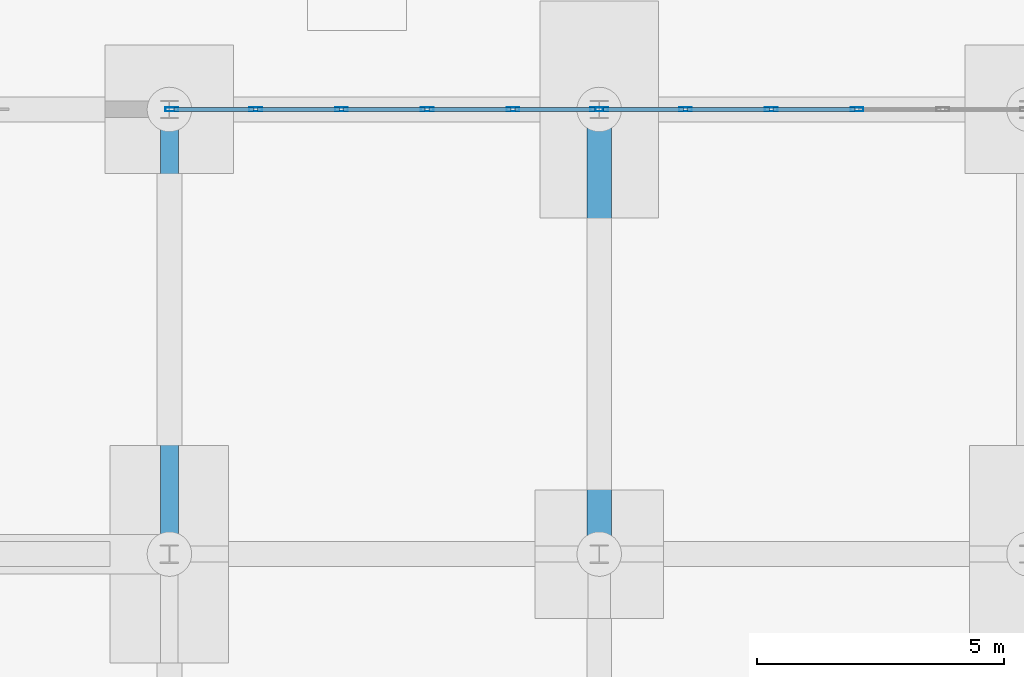
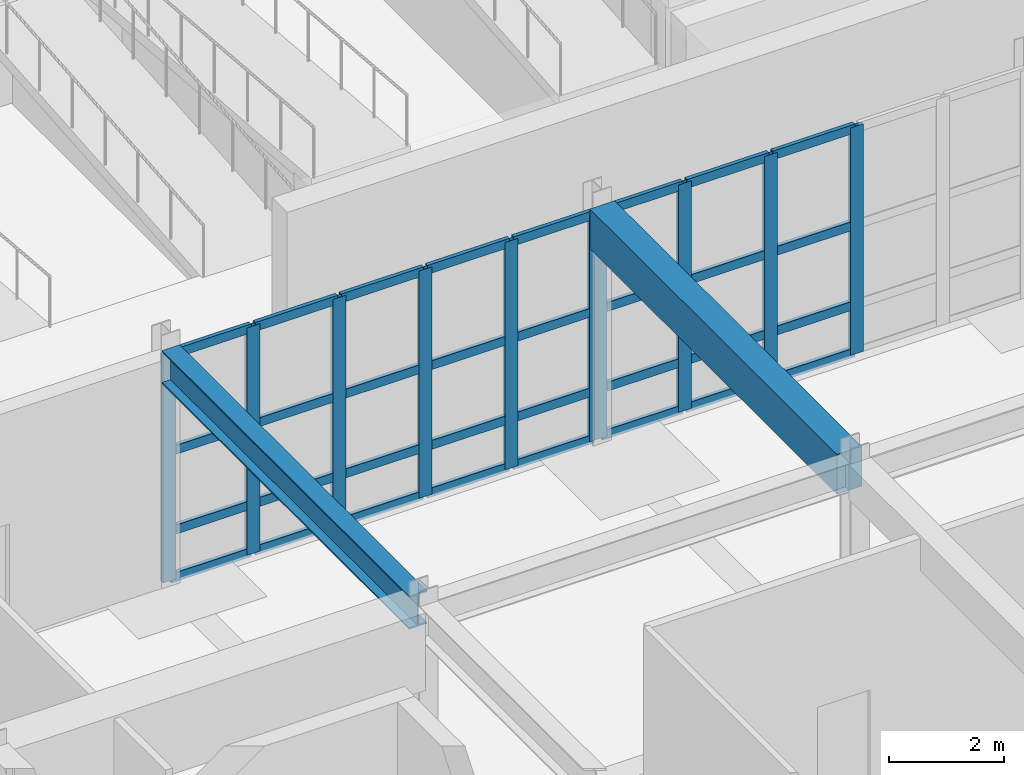
# One storey, part 17 of 69: 42 members, 2 beams, 2 elements without a shape of their own.
"""IFC4 building model written with IfcOpenShell, lengths in metres."""

import ifcopenshell
import ifcopenshell.guid

model = None  # the IFC model being written
_history = None  # IfcOwnerHistory: only IFC2X3 demands one
_inside = {}  # id of a spatial element -> (the spatial element, [elements in it])
_under = {}  # id of a project, library or spatial element -> (it, [spatial elements below it])
_declared = {}  # id of a project -> (the project, [libraries it declares])
_typed = {}  # id of a type object -> (the type object, [elements of that type])
_made_of = {}  # id of a material, layer set ... -> (it, [elements and type objects made of it])


def new_model(schema):
    """Start an empty IFC model of exactly this schema.

    Asked for "IFC4X3", IfcOpenShell would pick the latest addendum, in which some entities
    have other attributes; the version numbers below select the first issue.
    IFC2X3 requires an IfcOwnerHistory on every rooted entity: one is made here for all.
    """
    global model, _history
    if schema == "IFC4X3":
        model = ifcopenshell.file(schema_version=(4, 3, 0, 0))
    else:
        model = ifcopenshell.file(schema=schema)
    _inside.clear()
    _under.clear()
    _declared.clear()
    _typed.clear()
    _made_of.clear()
    _history = None
    if model.schema == "IFC2X3":
        org = make("IfcOrganization", Name="unknown")
        user = make(
            "IfcPersonAndOrganization",
            ThePerson=make("IfcPerson", FamilyName="unknown"),
            TheOrganization=org,
        )
        app = make(
            "IfcApplication",
            ApplicationDeveloper=org,
            Version="unknown",
            ApplicationFullName="unknown",
            ApplicationIdentifier="unknown",
        )
        _history = make(
            "IfcOwnerHistory",
            OwningUser=user,
            OwningApplication=app,
            ChangeAction="ADDED",
            CreationDate=0,
        )
    return model


def make(cls, **values):
    """One entity of the class cls with the attributes given. An attribute that is None is left unset."""
    return model.create_entity(
        cls, **{name: value for name, value in values.items() if value is not None}
    )


def rooted(cls, **values):
    """An entity with a GlobalId (a new one), such as an element, a storey or a relation."""
    return make(cls, GlobalId=ifcopenshell.guid.new(), OwnerHistory=_history, **values)


def si_unit(unit_type, name, prefix=None):
    """IfcSIUnit, for example si_unit("LENGTHUNIT", "METRE", prefix="MILLI")."""
    return make("IfcSIUnit", UnitType=unit_type, Prefix=prefix, Name=name)


def assignment(units):
    """IfcUnitAssignment: the units of a project."""
    return None if units is None else make("IfcUnitAssignment", Units=units)


def point(xyz):
    """IfcCartesianPoint."""
    return None if xyz is None else make("IfcCartesianPoint", Coordinates=xyz)


def direction(xyz):
    """IfcDirection."""
    return None if xyz is None else make("IfcDirection", DirectionRatios=xyz)


def frame(location, z_axis=None, x_axis=None):
    """IfcAxis2Placement3D, a coordinate frame: its origin and axes. An axis left out is left unset."""
    return make(
        "IfcAxis2Placement3D",
        Location=point(location),
        Axis=direction(z_axis),
        RefDirection=direction(x_axis),
    )


def frame_2d(location, x_axis=None):
    """IfcAxis2Placement2D, a coordinate frame in the plane: its origin and x axis."""
    return make(
        "IfcAxis2Placement2D", Location=point(location), RefDirection=direction(x_axis)
    )


def origin():
    """The frame at (0, 0, 0) with its axes left unset."""
    return frame((0.0, 0.0, 0.0))


def origin_2d():
    """The frame at (0, 0) in the plane with its x axis left unset."""
    return frame_2d((0.0, 0.0))


def place(relative_to, where):
    """IfcLocalPlacement: puts the frame where relative to a parent placement (None: the world)."""
    return make(
        "IfcLocalPlacement", PlacementRelTo=relative_to, RelativePlacement=where
    )


def context(
    kind, dimensions, precision=None, world=None, true_north=None, identifier=None
):
    """IfcGeometricRepresentationContext, for example the 3D "Model" context."""
    return make(
        "IfcGeometricRepresentationContext",
        ContextIdentifier=identifier,
        ContextType=kind,
        CoordinateSpaceDimension=dimensions,
        Precision=precision,
        WorldCoordinateSystem=world,
        TrueNorth=true_north,
    )


def subcontext(parent, identifier, kind, view, scale=None):
    """IfcGeometricRepresentationSubContext, for example "Body" below "Model"."""
    return make(
        "IfcGeometricRepresentationSubContext",
        ContextIdentifier=identifier,
        ContextType=kind,
        ParentContext=parent,
        TargetScale=scale,
        TargetView=view,
    )


def project(units=None, contexts=None):
    """IfcProject with its units and contexts."""
    return rooted(
        "IfcProject",
        Name="project",
        RepresentationContexts=contexts,
        UnitsInContext=assignment(units),
    )


def spatial(cls, under=None, at=None, **own):
    """A site, building, storey or space (cls), placed at a placement, below another one or the project."""
    s = rooted(cls, ObjectPlacement=at, **own)
    if under is not None:
        _under.setdefault(under.id(), (under, []))[1].append(s)
    return s


def profile(cls, at=None, kind="AREA", **sizes):
    """A parametric profile (cls). Its sizes go by their IFC names, for example OverallWidth=200.0."""
    return make(cls, ProfileType=kind, Position=at, **sizes)


def rectangle(**sizes):
    """IfcRectangleProfileDef."""
    return profile("IfcRectangleProfileDef", **sizes)


def hollow_rectangle(**sizes):
    """IfcRectangleHollowProfileDef."""
    return profile("IfcRectangleHollowProfileDef", **sizes)


def i_section(**sizes):
    """IfcIShapeProfileDef."""
    return profile("IfcIShapeProfileDef", **sizes)


def extrude(swept, where, along, depth):
    """IfcExtrudedAreaSolid: the profile swept, set in the frame where, extruded along a direction by depth."""
    return make(
        "IfcExtrudedAreaSolid",
        SweptArea=swept,
        Position=where,
        ExtrudedDirection=direction(along),
        Depth=depth,
    )


def shape(context_of_items, identifier, shape_type, items):
    """IfcShapeRepresentation: the items that make up one representation, for example the "Body"."""
    return make(
        "IfcShapeRepresentation",
        ContextOfItems=context_of_items,
        RepresentationIdentifier=identifier,
        RepresentationType=shape_type,
        Items=items,
    )


def material(Name=None, Category=None):
    """IfcMaterial."""
    return make("IfcMaterial", Name=Name, Category=Category)


def layer(
    of_material, thickness, ventilated=None, Name=None, Category=None, Priority=None
):
    """IfcMaterialLayer: one layer of a wall or slab, of a material (None: an air gap)."""
    return make(
        "IfcMaterialLayer",
        Material=of_material,
        LayerThickness=thickness,
        IsVentilated=ventilated,
        Name=Name,
        Category=Category,
        Priority=Priority,
    )


def layer_set(layers, Name=None):
    """IfcMaterialLayerSet."""
    return make("IfcMaterialLayerSet", MaterialLayers=layers, LayerSetName=Name)


def material_profile(
    of_material, cross_section, Name=None, Category=None, Priority=None
):
    """IfcMaterialProfile: a cross section and its material."""
    return make(
        "IfcMaterialProfile",
        Name=Name,
        Material=of_material,
        Profile=cross_section,
        Priority=Priority,
        Category=Category,
    )


def profile_set(profiles, Name=None, composite=None):
    """IfcMaterialProfileSet."""
    return make(
        "IfcMaterialProfileSet",
        Name=Name,
        MaterialProfiles=profiles,
        CompositeProfile=composite,
    )


def made_of(thing, what):
    """Note that an element or type object is made of a material, layer set ...; save() writes the relation."""
    if what is not None:
        _made_of.setdefault(what.id(), (what, []))[1].append(thing)
    return thing


def type_object(cls, material=None, **own):
    """A type object (cls), such as IfcWallType, which elements share."""
    return made_of(rooted(cls, **own), material)


def element(
    cls,
    number,
    at=None,
    inside=None,
    cuts=None,
    type_object=None,
    material=None,
    context=None,
    identifier="Body",
    shape_type=None,
    held_by="IfcProductDefinitionShape",
    body=None,
    shapes=None,
    **own,
):
    """One element of the class cls, such as IfcWall. Its Tag is "e" and its number.

    at: its placement. inside: the storey or other place that contains it. cuts: it is an
    opening in that element (IfcRelVoidsElement). A single representation is given by context,
    identifier, shape_type and body (its items); several are given by shapes. held_by: the class
    of the entity that holds the representations. save() writes the other relations.
    """
    e = rooted(cls, Tag="e%d" % number, ObjectPlacement=at, **own)
    if body is not None:
        shapes = [shape(context, identifier, shape_type, body)]
    if shapes is not None:
        e.Representation = make(held_by, Representations=shapes)
    if inside is not None:
        _inside.setdefault(inside.id(), (inside, []))[1].append(e)
    if cuts is not None:
        rooted(
            "IfcRelVoidsElement", RelatingBuildingElement=cuts, RelatedOpeningElement=e
        )
    if type_object is not None:
        _typed.setdefault(type_object.id(), (type_object, []))[1].append(e)
    return made_of(e, material)


def aggregate(whole, parts):
    """IfcRelAggregates: a whole, such as a stair, and the parts it consists of."""
    return rooted("IfcRelAggregates", RelatingObject=whole, RelatedObjects=parts)


def save(model, path):
    """Write the relations noted so far, then the file.

    IfcRelAggregates (storeys below a building ...), IfcRelContainedInSpatialStructure (elements
    in a storey), IfcRelDefinesByType, IfcRelAssociatesMaterial and IfcRelDeclares: one each for
    every whole, place, type object, material and project.
    """
    for whole, parts in _under.values():
        aggregate(whole, parts)
    for where, things in _inside.values():
        rooted(
            "IfcRelContainedInSpatialStructure",
            RelatedElements=things,
            RelatingStructure=where,
        )
    for kind, things in _typed.values():
        rooted("IfcRelDefinesByType", RelatedObjects=things, RelatingType=kind)
    for what, things in _made_of.values():
        rooted("IfcRelAssociatesMaterial", RelatedObjects=things, RelatingMaterial=what)
    for by, libraries in _declared.values():
        rooted("IfcRelDeclares", RelatingContext=by, RelatedDefinitions=libraries)
    model.write(path)


model = new_model("IFC4")

# Units and contexts
model_context = context("Model", 3, precision=1e-05, world=origin(), true_north=direction((0.0, 1.0)))
body_context = subcontext(model_context, "Body", "Model", "MODEL_VIEW")
ifc_project = project(units=[si_unit("LENGTHUNIT", "METRE"), si_unit("AREAUNIT", "SQUARE_METRE"), si_unit("VOLUMEUNIT", "CUBIC_METRE"), si_unit("PLANEANGLEUNIT", "RADIAN"), si_unit("MASSUNIT", "GRAM", prefix="KILO")], contexts=[model_context])

# Site, building, storey
site_placement = place(None, origin())
site = spatial("IfcSite", under=ifc_project, at=site_placement, CompositionType="ELEMENT")
building_placement = place(site_placement, origin())
building = spatial("IfcBuilding", under=site, at=building_placement, Name="Vaelkrest Opera House", CompositionType="ELEMENT")
storey_placement = place(building_placement, frame((0.0, 0.0, -5.39990234375)))
storey = spatial("IfcBuildingStorey", under=building, at=storey_placement, Name="B1", CompositionType="ELEMENT", Elevation=-5.39990234375)

# Beams
ifc_material_1 = material(Name="Concrete C50/60", Category="concrete")
ifc_material_profile_1 = material_profile(ifc_material_1, rectangle(XDim=0.5, YDim=0.85009765625, at=origin_2d()), Name="RCB500X850")
ifc_profile_set_1 = profile_set([ifc_material_profile_1], Name="Concrete C50/60")
beam_type_1 = type_object("IfcBeamType", Name="B03", PredefinedType="BEAM", material=ifc_profile_set_1)
beam_1_placement = place(storey_placement, frame((-60.300048828125, -46.614013671875, 4.65478515625), z_axis=(0.0, 1.0, 0.0), x_axis=(-1.0, 0.0, 0.0)))
element("IfcBeam", 1, at=beam_1_placement, inside=storey, type_object=beam_type_1, Name="Beam BM-V5-B1-2464", PredefinedType="BEAM", context=body_context, shape_type="SweptSolid", body=[
    extrude(rectangle(XDim=0.5, YDim=0.85009765625, at=origin_2d()), origin(), (0.0, 0.0, 1.0), 8.634033203125),
])
ifc_material_2 = material(Name="Steel A992 Gr50", Category="steel")
ifc_material_profile_2 = material_profile(ifc_material_2, i_section(OverallWidth=0.35791015625, OverallDepth=0.7060546875, WebThickness=0.018310546875, FlangeThickness=0.0302734375, at=origin_2d()), Name="W27X178")
ifc_profile_set_2 = profile_set([ifc_material_profile_2], Name="Steel A992 Gr50")
beam_type_2 = type_object("IfcBeamType", Name="B14", PredefinedType="BEAM", material=ifc_profile_set_2)
beam_2_placement = place(storey_placement, frame((-69.0, -46.614013671875, 4.726806640625), z_axis=(0.0, 1.0, 0.0), x_axis=(-1.0, 0.0, 0.0)))
element("IfcBeam", 2, at=beam_2_placement, inside=storey, type_object=beam_type_2, Name="Beam BM-V5-B1-2462", PredefinedType="BEAM", context=body_context, shape_type="SweptSolid", body=[
    extrude(i_section(OverallWidth=0.35791015625, OverallDepth=0.7060546875, WebThickness=0.018310546875, FlangeThickness=0.0302734375, at=origin_2d()), origin(), (0.0, 0.0, 1.0), 8.634033203125),
])

# Curtain wall, members
ifc_material_3 = material(Name="Dark bronze anodized aluminium", Category="aluminium")
ifc_layer = layer(ifc_material_3, 0.2099609375)
ifc_layer_set = layer_set([ifc_layer], Name="Dark bronze anodized aluminium")
curtain_wall_type = type_object("IfcCurtainWallType", Name="CW04", PredefinedType="NOTDEFINED", material=ifc_layer_set)
curtain_wall_1_placement = place(storey_placement, origin())
curtain_wall_1 = element("IfcCurtainWall", 3, at=curtain_wall_1_placement, inside=storey, type_object=curtain_wall_type, Name="Curtain wall CW-B1-174", PredefinedType="NOTDEFINED")
ifc_material_profile_3 = material_profile(ifc_material_3, hollow_rectangle(XDim=0.080078125, YDim=0.260009765625, WallThickness=0.0048828125, at=origin_2d()), Name="CWM80X260")
ifc_profile_set_3 = profile_set([ifc_material_profile_3], Name="Dark bronze anodized aluminium")
member_type_1 = type_object("IfcMemberType", Name="CWM04", PredefinedType="MULLION", material=ifc_profile_set_3)
member_1_placement = place(storey_placement, frame((-68.949951171875, -37.800048828125, 0.0), z_axis=(0.0, 0.0, 1.0), x_axis=(0.0, 1.0, 0.0)))
member_1 = element("IfcMember", 4, at=member_1_placement, type_object=member_type_1, Name="CW04 mullion 1", PredefinedType="MULLION", context=body_context, shape_type="SweptSolid", body=[
    extrude(hollow_rectangle(XDim=0.080078125, YDim=0.260009765625, WallThickness=0.0048828125, at=origin_2d()), origin(), (0.0, 0.0, 1.0), 4.849853515625),
])
member_2_placement = place(storey_placement, frame((-67.25390625, -37.800048828125, 0.0), z_axis=(0.0, 0.0, 1.0), x_axis=(0.0, 1.0, 0.0)))
member_2 = element("IfcMember", 5, at=member_2_placement, type_object=member_type_1, Name="CW04 mullion 2", PredefinedType="MULLION", context=body_context, shape_type="SweptSolid", body=[
    extrude(hollow_rectangle(XDim=0.080078125, YDim=0.260009765625, WallThickness=0.0048828125, at=origin_2d()), origin(), (0.0, 0.0, 1.0), 4.849853515625),
])
member_3_placement = place(storey_placement, frame((-65.51806640625, -37.800048828125, 0.0), z_axis=(0.0, 0.0, 1.0), x_axis=(0.0, 1.0, 0.0)))
member_3 = element("IfcMember", 6, at=member_3_placement, type_object=member_type_1, Name="CW04 mullion 3", PredefinedType="MULLION", context=body_context, shape_type="SweptSolid", body=[
    extrude(hollow_rectangle(XDim=0.080078125, YDim=0.260009765625, WallThickness=0.0048828125, at=origin_2d()), origin(), (0.0, 0.0, 1.0), 4.849853515625),
])
member_4_placement = place(storey_placement, frame((-63.781982421875, -37.800048828125, 0.0), z_axis=(0.0, 0.0, 1.0), x_axis=(0.0, 1.0, 0.0)))
member_4 = element("IfcMember", 7, at=member_4_placement, type_object=member_type_1, Name="CW04 mullion 4", PredefinedType="MULLION", context=body_context, shape_type="SweptSolid", body=[
    extrude(hollow_rectangle(XDim=0.080078125, YDim=0.260009765625, WallThickness=0.0048828125, at=origin_2d()), origin(), (0.0, 0.0, 1.0), 4.849853515625),
])
member_5_placement = place(storey_placement, frame((-62.0458984375, -37.800048828125, 0.0), z_axis=(0.0, 0.0, 1.0), x_axis=(0.0, 1.0, 0.0)))
member_5 = element("IfcMember", 8, at=member_5_placement, type_object=member_type_1, Name="CW04 mullion 5", PredefinedType="MULLION", context=body_context, shape_type="SweptSolid", body=[
    extrude(hollow_rectangle(XDim=0.080078125, YDim=0.260009765625, WallThickness=0.0048828125, at=origin_2d()), origin(), (0.0, 0.0, 1.0), 4.849853515625),
])
member_6_placement = place(storey_placement, frame((-60.35009765625, -37.800048828125, 0.0), z_axis=(0.0, 0.0, 1.0), x_axis=(0.0, 1.0, 0.0)))
member_6 = element("IfcMember", 9, at=member_6_placement, type_object=member_type_1, Name="CW04 mullion 6", PredefinedType="MULLION", context=body_context, shape_type="SweptSolid", body=[
    extrude(hollow_rectangle(XDim=0.080078125, YDim=0.260009765625, WallThickness=0.0048828125, at=origin_2d()), origin(), (0.0, 0.0, 1.0), 4.849853515625),
])

curtain_wall_2_placement = place(storey_placement, origin())
curtain_wall_2 = element("IfcCurtainWall", 10, at=curtain_wall_2_placement, inside=storey, type_object=curtain_wall_type, Name="Curtain wall CW-B1-175", PredefinedType="NOTDEFINED")
member_7_placement = place(storey_placement, frame((-60.25, -37.800048828125, 0.0), z_axis=(0.0, 0.0, 1.0), x_axis=(0.0, 1.0, 0.0)))
member_7 = element("IfcMember", 11, at=member_7_placement, type_object=member_type_1, Name="CW04 mullion 1", PredefinedType="MULLION", context=body_context, shape_type="SweptSolid", body=[
    extrude(hollow_rectangle(XDim=0.080078125, YDim=0.260009765625, WallThickness=0.0048828125, at=origin_2d()), origin(), (0.0, 0.0, 1.0), 4.849853515625),
])
member_8_placement = place(storey_placement, frame((-58.553955078125, -37.800048828125, 0.0), z_axis=(0.0, 0.0, 1.0), x_axis=(0.0, 1.0, 0.0)))
member_8 = element("IfcMember", 12, at=member_8_placement, type_object=member_type_1, Name="CW04 mullion 2", PredefinedType="MULLION", context=body_context, shape_type="SweptSolid", body=[
    extrude(hollow_rectangle(XDim=0.080078125, YDim=0.260009765625, WallThickness=0.0048828125, at=origin_2d()), origin(), (0.0, 0.0, 1.0), 4.849853515625),
])
member_9_placement = place(storey_placement, frame((-56.818115234375, -37.800048828125, 0.0), z_axis=(0.0, 0.0, 1.0), x_axis=(0.0, 1.0, 0.0)))
member_9 = element("IfcMember", 13, at=member_9_placement, type_object=member_type_1, Name="CW04 mullion 3", PredefinedType="MULLION", context=body_context, shape_type="SweptSolid", body=[
    extrude(hollow_rectangle(XDim=0.080078125, YDim=0.260009765625, WallThickness=0.0048828125, at=origin_2d()), origin(), (0.0, 0.0, 1.0), 4.849853515625),
])
member_10_placement = place(storey_placement, frame((-55.08203125, -37.800048828125, 0.0), z_axis=(0.0, 0.0, 1.0), x_axis=(0.0, 1.0, 0.0)))
member_10 = element("IfcMember", 14, at=member_10_placement, type_object=member_type_1, Name="CW04 mullion 4", PredefinedType="MULLION", context=body_context, shape_type="SweptSolid", body=[
    extrude(hollow_rectangle(XDim=0.080078125, YDim=0.260009765625, WallThickness=0.0048828125, at=origin_2d()), origin(), (0.0, 0.0, 1.0), 4.849853515625),
])

# Member
ifc_material_profile_4 = material_profile(ifc_material_3, hollow_rectangle(XDim=0.080078125, YDim=0.18994140625, WallThickness=0.0048828125, at=origin_2d()), Name="CWT80X190")
ifc_profile_set_4 = profile_set([ifc_material_profile_4], Name="Dark bronze anodized aluminium")
member_type_2 = type_object("IfcMemberType", Name="CWT04", PredefinedType="USERDEFINED", material=ifc_profile_set_4)
member_11_placement = place(storey_placement, frame((-68.909912109375, -37.800048828125, 0.039794921875), z_axis=(1.0, 0.0, 0.0), x_axis=(0.0, 1.0, 0.0)))
member_11 = element("IfcMember", 15, at=member_11_placement, type_object=member_type_2, Name="CW04 transom 1.1", ObjectType="TRANSOM", PredefinedType="USERDEFINED", context=body_context, shape_type="SweptSolid", body=[
    extrude(hollow_rectangle(XDim=0.080078125, YDim=0.18994140625, WallThickness=0.0048828125, at=origin_2d()), origin(), (0.0, 0.0, 1.0), 1.615966796875),
])

member_12_placement = place(storey_placement, frame((-68.909912109375, -37.800048828125, 1.0498046875), z_axis=(1.0, 0.0, 0.0), x_axis=(0.0, 1.0, 0.0)))
member_12 = element("IfcMember", 16, at=member_12_placement, type_object=member_type_2, Name="CW04 transom 1.2", ObjectType="TRANSOM", PredefinedType="USERDEFINED", context=body_context, shape_type="SweptSolid", body=[
    extrude(hollow_rectangle(XDim=0.080078125, YDim=0.18994140625, WallThickness=0.0048828125, at=origin_2d()), origin(), (0.0, 0.0, 1.0), 1.615966796875),
])

member_13_placement = place(storey_placement, frame((-68.909912109375, -37.800048828125, 2.75), z_axis=(1.0, 0.0, 0.0), x_axis=(0.0, 1.0, 0.0)))
member_13 = element("IfcMember", 17, at=member_13_placement, type_object=member_type_2, Name="CW04 transom 1.3", ObjectType="TRANSOM", PredefinedType="USERDEFINED", context=body_context, shape_type="SweptSolid", body=[
    extrude(hollow_rectangle(XDim=0.080078125, YDim=0.18994140625, WallThickness=0.0048828125, at=origin_2d()), origin(), (0.0, 0.0, 1.0), 1.615966796875),
])

member_14_placement = place(storey_placement, frame((-68.909912109375, -37.800048828125, 4.809814453125), z_axis=(1.0, 0.0, 0.0), x_axis=(0.0, 1.0, 0.0)))
member_14 = element("IfcMember", 18, at=member_14_placement, type_object=member_type_2, Name="CW04 transom 1.4", ObjectType="TRANSOM", PredefinedType="USERDEFINED", context=body_context, shape_type="SweptSolid", body=[
    extrude(hollow_rectangle(XDim=0.080078125, YDim=0.18994140625, WallThickness=0.0048828125, at=origin_2d()), origin(), (0.0, 0.0, 1.0), 1.615966796875),
])

member_15_placement = place(storey_placement, frame((-67.214111328125, -37.800048828125, 0.039794921875), z_axis=(1.0, 0.0, 0.0), x_axis=(0.0, 1.0, 0.0)))
member_15 = element("IfcMember", 19, at=member_15_placement, type_object=member_type_2, Name="CW04 transom 2.1", ObjectType="TRANSOM", PredefinedType="USERDEFINED", context=body_context, shape_type="SweptSolid", body=[
    extrude(hollow_rectangle(XDim=0.080078125, YDim=0.18994140625, WallThickness=0.0048828125, at=origin_2d()), origin(), (0.0, 0.0, 1.0), 1.656005859375),
])

member_16_placement = place(storey_placement, frame((-67.214111328125, -37.800048828125, 1.0498046875), z_axis=(1.0, 0.0, 0.0), x_axis=(0.0, 1.0, 0.0)))
member_16 = element("IfcMember", 20, at=member_16_placement, type_object=member_type_2, Name="CW04 transom 2.2", ObjectType="TRANSOM", PredefinedType="USERDEFINED", context=body_context, shape_type="SweptSolid", body=[
    extrude(hollow_rectangle(XDim=0.080078125, YDim=0.18994140625, WallThickness=0.0048828125, at=origin_2d()), origin(), (0.0, 0.0, 1.0), 1.656005859375),
])

member_17_placement = place(storey_placement, frame((-67.214111328125, -37.800048828125, 2.75), z_axis=(1.0, 0.0, 0.0), x_axis=(0.0, 1.0, 0.0)))
member_17 = element("IfcMember", 21, at=member_17_placement, type_object=member_type_2, Name="CW04 transom 2.3", ObjectType="TRANSOM", PredefinedType="USERDEFINED", context=body_context, shape_type="SweptSolid", body=[
    extrude(hollow_rectangle(XDim=0.080078125, YDim=0.18994140625, WallThickness=0.0048828125, at=origin_2d()), origin(), (0.0, 0.0, 1.0), 1.656005859375),
])

member_18_placement = place(storey_placement, frame((-67.214111328125, -37.800048828125, 4.809814453125), z_axis=(1.0, 0.0, 0.0), x_axis=(0.0, 1.0, 0.0)))
member_18 = element("IfcMember", 22, at=member_18_placement, type_object=member_type_2, Name="CW04 transom 2.4", ObjectType="TRANSOM", PredefinedType="USERDEFINED", context=body_context, shape_type="SweptSolid", body=[
    extrude(hollow_rectangle(XDim=0.080078125, YDim=0.18994140625, WallThickness=0.0048828125, at=origin_2d()), origin(), (0.0, 0.0, 1.0), 1.656005859375),
])

member_19_placement = place(storey_placement, frame((-65.47802734375, -37.800048828125, 0.039794921875), z_axis=(1.0, 0.0, 0.0), x_axis=(0.0, 1.0, 0.0)))
member_19 = element("IfcMember", 23, at=member_19_placement, type_object=member_type_2, Name="CW04 transom 3.1", ObjectType="TRANSOM", PredefinedType="USERDEFINED", context=body_context, shape_type="SweptSolid", body=[
    extrude(hollow_rectangle(XDim=0.080078125, YDim=0.18994140625, WallThickness=0.0048828125, at=origin_2d()), origin(), (0.0, 0.0, 1.0), 1.656005859375),
])

member_20_placement = place(storey_placement, frame((-65.47802734375, -37.800048828125, 1.0498046875), z_axis=(1.0, 0.0, 0.0), x_axis=(0.0, 1.0, 0.0)))
member_20 = element("IfcMember", 24, at=member_20_placement, type_object=member_type_2, Name="CW04 transom 3.2", ObjectType="TRANSOM", PredefinedType="USERDEFINED", context=body_context, shape_type="SweptSolid", body=[
    extrude(hollow_rectangle(XDim=0.080078125, YDim=0.18994140625, WallThickness=0.0048828125, at=origin_2d()), origin(), (0.0, 0.0, 1.0), 1.656005859375),
])

member_21_placement = place(storey_placement, frame((-65.47802734375, -37.800048828125, 2.75), z_axis=(1.0, 0.0, 0.0), x_axis=(0.0, 1.0, 0.0)))
member_21 = element("IfcMember", 25, at=member_21_placement, type_object=member_type_2, Name="CW04 transom 3.3", ObjectType="TRANSOM", PredefinedType="USERDEFINED", context=body_context, shape_type="SweptSolid", body=[
    extrude(hollow_rectangle(XDim=0.080078125, YDim=0.18994140625, WallThickness=0.0048828125, at=origin_2d()), origin(), (0.0, 0.0, 1.0), 1.656005859375),
])

member_22_placement = place(storey_placement, frame((-65.47802734375, -37.800048828125, 4.809814453125), z_axis=(1.0, 0.0, 0.0), x_axis=(0.0, 1.0, 0.0)))
member_22 = element("IfcMember", 26, at=member_22_placement, type_object=member_type_2, Name="CW04 transom 3.4", ObjectType="TRANSOM", PredefinedType="USERDEFINED", context=body_context, shape_type="SweptSolid", body=[
    extrude(hollow_rectangle(XDim=0.080078125, YDim=0.18994140625, WallThickness=0.0048828125, at=origin_2d()), origin(), (0.0, 0.0, 1.0), 1.656005859375),
])

member_23_placement = place(storey_placement, frame((-63.741943359375, -37.800048828125, 0.039794921875), z_axis=(1.0, 0.0, 0.0), x_axis=(0.0, 1.0, 0.0)))
member_23 = element("IfcMember", 27, at=member_23_placement, type_object=member_type_2, Name="CW04 transom 4.1", ObjectType="TRANSOM", PredefinedType="USERDEFINED", context=body_context, shape_type="SweptSolid", body=[
    extrude(hollow_rectangle(XDim=0.080078125, YDim=0.18994140625, WallThickness=0.0048828125, at=origin_2d()), origin(), (0.0, 0.0, 1.0), 1.656005859375),
])

member_24_placement = place(storey_placement, frame((-63.741943359375, -37.800048828125, 1.0498046875), z_axis=(1.0, 0.0, 0.0), x_axis=(0.0, 1.0, 0.0)))
member_24 = element("IfcMember", 28, at=member_24_placement, type_object=member_type_2, Name="CW04 transom 4.2", ObjectType="TRANSOM", PredefinedType="USERDEFINED", context=body_context, shape_type="SweptSolid", body=[
    extrude(hollow_rectangle(XDim=0.080078125, YDim=0.18994140625, WallThickness=0.0048828125, at=origin_2d()), origin(), (0.0, 0.0, 1.0), 1.656005859375),
])

member_25_placement = place(storey_placement, frame((-63.741943359375, -37.800048828125, 2.75), z_axis=(1.0, 0.0, 0.0), x_axis=(0.0, 1.0, 0.0)))
member_25 = element("IfcMember", 29, at=member_25_placement, type_object=member_type_2, Name="CW04 transom 4.3", ObjectType="TRANSOM", PredefinedType="USERDEFINED", context=body_context, shape_type="SweptSolid", body=[
    extrude(hollow_rectangle(XDim=0.080078125, YDim=0.18994140625, WallThickness=0.0048828125, at=origin_2d()), origin(), (0.0, 0.0, 1.0), 1.656005859375),
])

member_26_placement = place(storey_placement, frame((-63.741943359375, -37.800048828125, 4.809814453125), z_axis=(1.0, 0.0, 0.0), x_axis=(0.0, 1.0, 0.0)))
member_26 = element("IfcMember", 30, at=member_26_placement, type_object=member_type_2, Name="CW04 transom 4.4", ObjectType="TRANSOM", PredefinedType="USERDEFINED", context=body_context, shape_type="SweptSolid", body=[
    extrude(hollow_rectangle(XDim=0.080078125, YDim=0.18994140625, WallThickness=0.0048828125, at=origin_2d()), origin(), (0.0, 0.0, 1.0), 1.656005859375),
])

member_27_placement = place(storey_placement, frame((-62.006103515625, -37.800048828125, 0.039794921875), z_axis=(1.0, 0.0, 0.0), x_axis=(0.0, 1.0, 0.0)))
member_27 = element("IfcMember", 31, at=member_27_placement, type_object=member_type_2, Name="CW04 transom 5.1", ObjectType="TRANSOM", PredefinedType="USERDEFINED", context=body_context, shape_type="SweptSolid", body=[
    extrude(hollow_rectangle(XDim=0.080078125, YDim=0.18994140625, WallThickness=0.0048828125, at=origin_2d()), origin(), (0.0, 0.0, 1.0), 1.6162109375),
])

member_28_placement = place(storey_placement, frame((-62.006103515625, -37.800048828125, 1.0498046875), z_axis=(1.0, 0.0, 0.0), x_axis=(0.0, 1.0, 0.0)))
member_28 = element("IfcMember", 32, at=member_28_placement, type_object=member_type_2, Name="CW04 transom 5.2", ObjectType="TRANSOM", PredefinedType="USERDEFINED", context=body_context, shape_type="SweptSolid", body=[
    extrude(hollow_rectangle(XDim=0.080078125, YDim=0.18994140625, WallThickness=0.0048828125, at=origin_2d()), origin(), (0.0, 0.0, 1.0), 1.6162109375),
])

member_29_placement = place(storey_placement, frame((-62.006103515625, -37.800048828125, 2.75), z_axis=(1.0, 0.0, 0.0), x_axis=(0.0, 1.0, 0.0)))
member_29 = element("IfcMember", 33, at=member_29_placement, type_object=member_type_2, Name="CW04 transom 5.3", ObjectType="TRANSOM", PredefinedType="USERDEFINED", context=body_context, shape_type="SweptSolid", body=[
    extrude(hollow_rectangle(XDim=0.080078125, YDim=0.18994140625, WallThickness=0.0048828125, at=origin_2d()), origin(), (0.0, 0.0, 1.0), 1.6162109375),
])

member_30_placement = place(storey_placement, frame((-62.006103515625, -37.800048828125, 4.809814453125), z_axis=(1.0, 0.0, 0.0), x_axis=(0.0, 1.0, 0.0)))
member_30 = element("IfcMember", 34, at=member_30_placement, type_object=member_type_2, Name="CW04 transom 5.4", ObjectType="TRANSOM", PredefinedType="USERDEFINED", context=body_context, shape_type="SweptSolid", body=[
    extrude(hollow_rectangle(XDim=0.080078125, YDim=0.18994140625, WallThickness=0.0048828125, at=origin_2d()), origin(), (0.0, 0.0, 1.0), 1.6162109375),
])

aggregate(curtain_wall_1, [member_1, member_2, member_3, member_4, member_5, member_6, member_11, member_12, member_13, member_14, member_15, member_16, member_17, member_18, member_19, member_20, member_21, member_22, member_23, member_24, member_25, member_26, member_27, member_28, member_29, member_30])

member_31_placement = place(storey_placement, frame((-60.2099609375, -37.800048828125, 0.039794921875), z_axis=(1.0, 0.0, 0.0), x_axis=(0.0, 1.0, 0.0)))
member_31 = element("IfcMember", 35, at=member_31_placement, type_object=member_type_2, Name="CW04 transom 1.1", ObjectType="TRANSOM", PredefinedType="USERDEFINED", context=body_context, shape_type="SweptSolid", body=[
    extrude(hollow_rectangle(XDim=0.080078125, YDim=0.18994140625, WallThickness=0.0048828125, at=origin_2d()), origin(), (0.0, 0.0, 1.0), 1.615966796875),
])

member_32_placement = place(storey_placement, frame((-60.2099609375, -37.800048828125, 1.0498046875), z_axis=(1.0, 0.0, 0.0), x_axis=(0.0, 1.0, 0.0)))
member_32 = element("IfcMember", 36, at=member_32_placement, type_object=member_type_2, Name="CW04 transom 1.2", ObjectType="TRANSOM", PredefinedType="USERDEFINED", context=body_context, shape_type="SweptSolid", body=[
    extrude(hollow_rectangle(XDim=0.080078125, YDim=0.18994140625, WallThickness=0.0048828125, at=origin_2d()), origin(), (0.0, 0.0, 1.0), 1.615966796875),
])

member_33_placement = place(storey_placement, frame((-60.2099609375, -37.800048828125, 2.75), z_axis=(1.0, 0.0, 0.0), x_axis=(0.0, 1.0, 0.0)))
member_33 = element("IfcMember", 37, at=member_33_placement, type_object=member_type_2, Name="CW04 transom 1.3", ObjectType="TRANSOM", PredefinedType="USERDEFINED", context=body_context, shape_type="SweptSolid", body=[
    extrude(hollow_rectangle(XDim=0.080078125, YDim=0.18994140625, WallThickness=0.0048828125, at=origin_2d()), origin(), (0.0, 0.0, 1.0), 1.615966796875),
])

member_34_placement = place(storey_placement, frame((-60.2099609375, -37.800048828125, 4.809814453125), z_axis=(1.0, 0.0, 0.0), x_axis=(0.0, 1.0, 0.0)))
member_34 = element("IfcMember", 38, at=member_34_placement, type_object=member_type_2, Name="CW04 transom 1.4", ObjectType="TRANSOM", PredefinedType="USERDEFINED", context=body_context, shape_type="SweptSolid", body=[
    extrude(hollow_rectangle(XDim=0.080078125, YDim=0.18994140625, WallThickness=0.0048828125, at=origin_2d()), origin(), (0.0, 0.0, 1.0), 1.615966796875),
])

member_35_placement = place(storey_placement, frame((-58.513916015625, -37.800048828125, 0.039794921875), z_axis=(1.0, 0.0, 0.0), x_axis=(0.0, 1.0, 0.0)))
member_35 = element("IfcMember", 39, at=member_35_placement, type_object=member_type_2, Name="CW04 transom 2.1", ObjectType="TRANSOM", PredefinedType="USERDEFINED", context=body_context, shape_type="SweptSolid", body=[
    extrude(hollow_rectangle(XDim=0.080078125, YDim=0.18994140625, WallThickness=0.0048828125, at=origin_2d()), origin(), (0.0, 0.0, 1.0), 1.656005859375),
])

member_36_placement = place(storey_placement, frame((-58.513916015625, -37.800048828125, 1.0498046875), z_axis=(1.0, 0.0, 0.0), x_axis=(0.0, 1.0, 0.0)))
member_36 = element("IfcMember", 40, at=member_36_placement, type_object=member_type_2, Name="CW04 transom 2.2", ObjectType="TRANSOM", PredefinedType="USERDEFINED", context=body_context, shape_type="SweptSolid", body=[
    extrude(hollow_rectangle(XDim=0.080078125, YDim=0.18994140625, WallThickness=0.0048828125, at=origin_2d()), origin(), (0.0, 0.0, 1.0), 1.656005859375),
])

member_37_placement = place(storey_placement, frame((-58.513916015625, -37.800048828125, 2.75), z_axis=(1.0, 0.0, 0.0), x_axis=(0.0, 1.0, 0.0)))
member_37 = element("IfcMember", 41, at=member_37_placement, type_object=member_type_2, Name="CW04 transom 2.3", ObjectType="TRANSOM", PredefinedType="USERDEFINED", context=body_context, shape_type="SweptSolid", body=[
    extrude(hollow_rectangle(XDim=0.080078125, YDim=0.18994140625, WallThickness=0.0048828125, at=origin_2d()), origin(), (0.0, 0.0, 1.0), 1.656005859375),
])

member_38_placement = place(storey_placement, frame((-58.513916015625, -37.800048828125, 4.809814453125), z_axis=(1.0, 0.0, 0.0), x_axis=(0.0, 1.0, 0.0)))
member_38 = element("IfcMember", 42, at=member_38_placement, type_object=member_type_2, Name="CW04 transom 2.4", ObjectType="TRANSOM", PredefinedType="USERDEFINED", context=body_context, shape_type="SweptSolid", body=[
    extrude(hollow_rectangle(XDim=0.080078125, YDim=0.18994140625, WallThickness=0.0048828125, at=origin_2d()), origin(), (0.0, 0.0, 1.0), 1.656005859375),
])

member_39_placement = place(storey_placement, frame((-56.778076171875, -37.800048828125, 0.039794921875), z_axis=(1.0, 0.0, 0.0), x_axis=(0.0, 1.0, 0.0)))
member_39 = element("IfcMember", 43, at=member_39_placement, type_object=member_type_2, Name="CW04 transom 3.1", ObjectType="TRANSOM", PredefinedType="USERDEFINED", context=body_context, shape_type="SweptSolid", body=[
    extrude(hollow_rectangle(XDim=0.080078125, YDim=0.18994140625, WallThickness=0.0048828125, at=origin_2d()), origin(), (0.0, 0.0, 1.0), 1.656005859375),
])

member_40_placement = place(storey_placement, frame((-56.778076171875, -37.800048828125, 1.0498046875), z_axis=(1.0, 0.0, 0.0), x_axis=(0.0, 1.0, 0.0)))
member_40 = element("IfcMember", 44, at=member_40_placement, type_object=member_type_2, Name="CW04 transom 3.2", ObjectType="TRANSOM", PredefinedType="USERDEFINED", context=body_context, shape_type="SweptSolid", body=[
    extrude(hollow_rectangle(XDim=0.080078125, YDim=0.18994140625, WallThickness=0.0048828125, at=origin_2d()), origin(), (0.0, 0.0, 1.0), 1.656005859375),
])

member_41_placement = place(storey_placement, frame((-56.778076171875, -37.800048828125, 2.75), z_axis=(1.0, 0.0, 0.0), x_axis=(0.0, 1.0, 0.0)))
member_41 = element("IfcMember", 45, at=member_41_placement, type_object=member_type_2, Name="CW04 transom 3.3", ObjectType="TRANSOM", PredefinedType="USERDEFINED", context=body_context, shape_type="SweptSolid", body=[
    extrude(hollow_rectangle(XDim=0.080078125, YDim=0.18994140625, WallThickness=0.0048828125, at=origin_2d()), origin(), (0.0, 0.0, 1.0), 1.656005859375),
])

member_42_placement = place(storey_placement, frame((-56.778076171875, -37.800048828125, 4.809814453125), z_axis=(1.0, 0.0, 0.0), x_axis=(0.0, 1.0, 0.0)))
member_42 = element("IfcMember", 46, at=member_42_placement, type_object=member_type_2, Name="CW04 transom 3.4", ObjectType="TRANSOM", PredefinedType="USERDEFINED", context=body_context, shape_type="SweptSolid", body=[
    extrude(hollow_rectangle(XDim=0.080078125, YDim=0.18994140625, WallThickness=0.0048828125, at=origin_2d()), origin(), (0.0, 0.0, 1.0), 1.656005859375),
])

aggregate(curtain_wall_2, [member_7, member_8, member_9, member_10, member_31, member_32, member_33, member_34, member_35, member_36, member_37, member_38, member_39, member_40, member_41, member_42])

save(model, "model.ifc")
